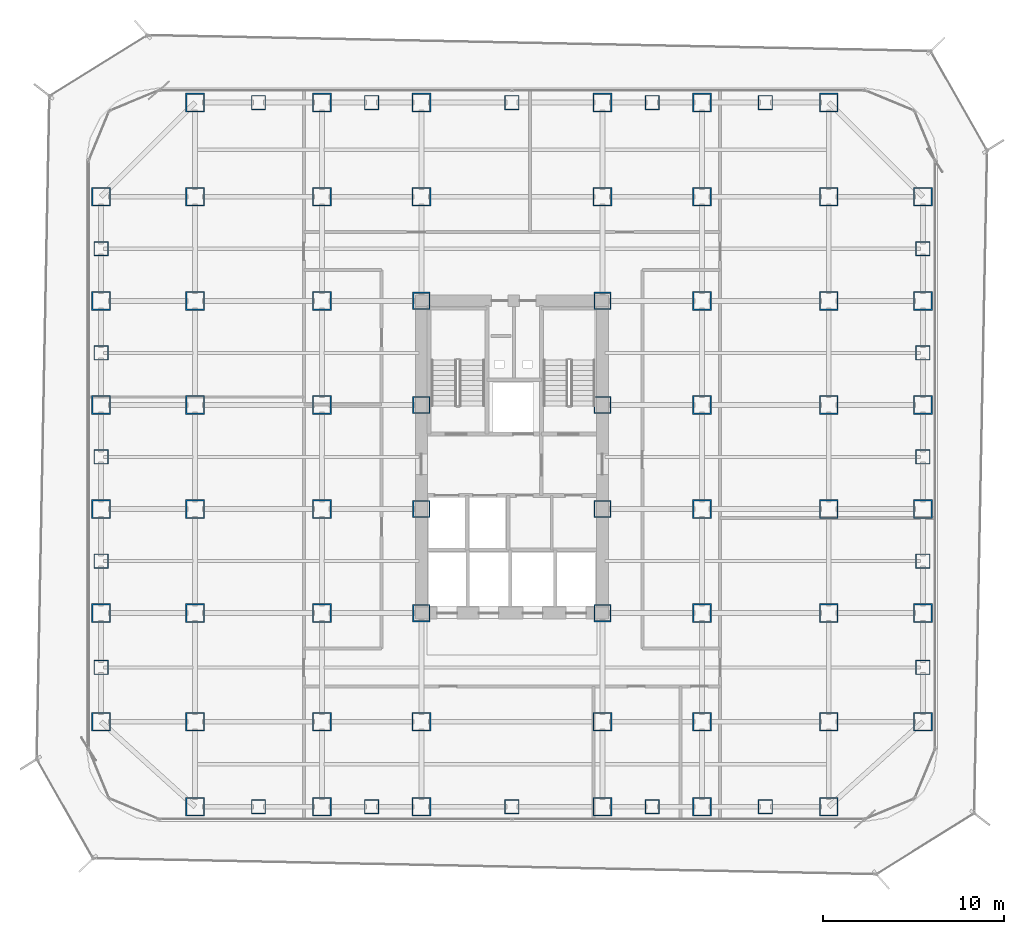
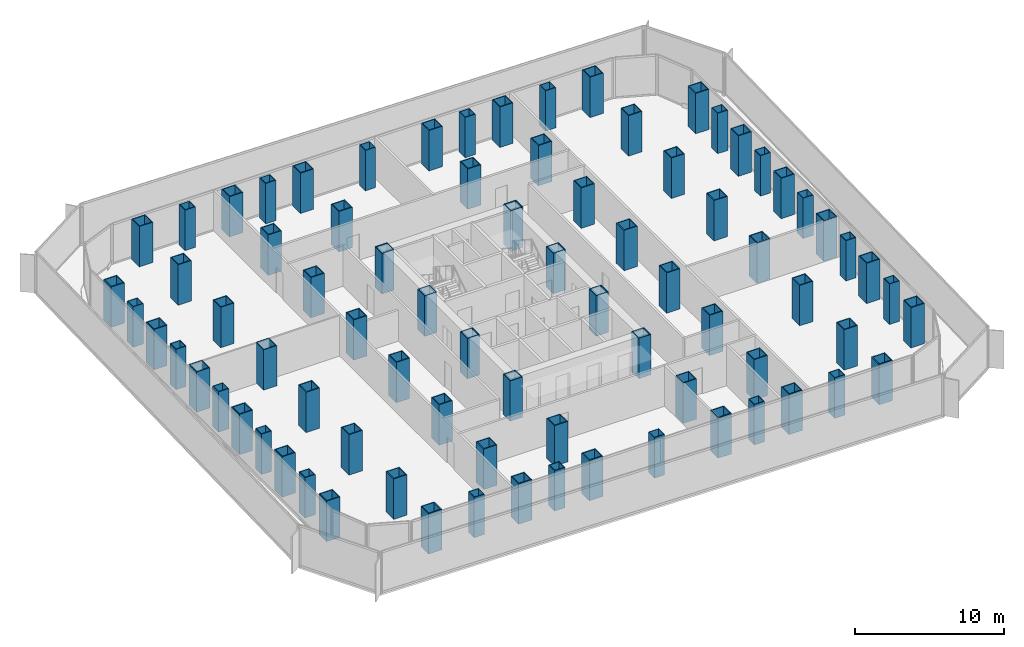
# One storey, part 1 of 21: 80 columns.
"""IFC4 building model written with IfcOpenShell, lengths in metres."""

from ifc_helpers import new_model, si_unit, direction, frame, origin, origin_2d, place, context, subcontext, project, spatial, hollow_rectangle, extrude, source, transform, mapped, material, material_profile, profile_set, type_object, element, save


model = new_model("IFC4")

# Units and contexts
model_context = context("Model", 3, precision=1e-05, world=origin(), true_north=direction((0.0, 1.0)))
body_context = subcontext(model_context, "Body", "Model", "MODEL_VIEW")
ifc_project = project(units=[si_unit("LENGTHUNIT", "METRE"), si_unit("AREAUNIT", "SQUARE_METRE"), si_unit("VOLUMEUNIT", "CUBIC_METRE"), si_unit("PLANEANGLEUNIT", "RADIAN"), si_unit("MASSUNIT", "GRAM", prefix="KILO")], contexts=[model_context])

# Site, building, storey
site_placement = place(None, origin())
site = spatial("IfcSite", under=ifc_project, at=site_placement, CompositionType="ELEMENT")
building_placement = place(site_placement, origin())
building = spatial("IfcBuilding", under=site, at=building_placement, Name="Kolveth Station Tower", CompositionType="ELEMENT")
storey_placement = place(building_placement, frame((0.0, 0.0, 62.10009765625)))
storey = spatial("IfcBuildingStorey", under=building, at=storey_placement, Name="L16", CompositionType="ELEMENT", Elevation=62.10009765625)

# Columns
ifc_material_1 = material(Name="Steel S460", Category="steel")
ifc_material_profile_1 = material_profile(ifc_material_1, hollow_rectangle(XDim=1.0400390625, YDim=1.0400390625, WallThickness=0.06494140625, at=origin_2d()), Name="BOX1040x1040x65")
ifc_profile_set_1 = profile_set([ifc_material_profile_1], Name="Steel S460")
column_type_1 = type_object("IfcColumnType", Name="Col_C2", PredefinedType="COLUMN", material=ifc_profile_set_1)
shared_shape_1 = source(origin(), body_context, "Body", "SweptSolid", [
    extrude(hollow_rectangle(XDim=1.0400390625, YDim=1.0400390625, WallThickness=0.06494140625, at=origin_2d()), origin(), (0.0, 0.0, 1.0), 3.31982421875),
])
for number, where, z_axis, x_axis, name in (
    (1, (6.0, 0.800048828125, 0.0), (0.0, 0.0, 1.0), (1.0, 0.0, 0.0), "L16 Tower Column S-X60"),
    (2, (6.0, 39.699951171875, 0.0), (0.0, 0.0, 1.0), (1.0, 0.0, 0.0), "L16 Tower Column N-X60"),
    (3, (13.0, 0.800048828125, 0.0), (0.0, 0.0, 1.0), (1.0, 0.0, 0.0), "L16 Tower Column S-X130"),
    (4, (13.0, 39.699951171875, 0.0), (0.0, 0.0, 1.0), (1.0, 0.0, 0.0), "L16 Tower Column N-X130"),
    (5, (18.5, 0.800048828125, 0.0), (0.0, 0.0, 1.0), (1.0, 0.0, 0.0), "L16 Tower Column S-X185"),
    (6, (18.5, 39.699951171875, 0.0), (0.0, 0.0, 1.0), (1.0, 0.0, 0.0), "L16 Tower Column N-X185"),
    (7, (28.5, 0.800048828125, 0.0), (0.0, 0.0, 1.0), (1.0, 0.0, 0.0), "L16 Tower Column S-X285"),
    (8, (28.5, 39.699951171875, 0.0), (0.0, 0.0, 1.0), (1.0, 0.0, 0.0), "L16 Tower Column N-X285"),
    (9, (34.0, 0.800048828125, 0.0), (0.0, 0.0, 1.0), (1.0, 0.0, 0.0), "L16 Tower Column S-X340"),
    (10, (34.0, 39.699951171875, 0.0), (0.0, 0.0, 1.0), (1.0, 0.0, 0.0), "L16 Tower Column N-X340"),
    (11, (41.0, 0.800048828125, 0.0), (0.0, 0.0, 1.0), (1.0, 0.0, 0.0), "L16 Tower Column S-X410"),
    (12, (41.0, 39.699951171875, 0.0), (0.0, 0.0, 1.0), (1.0, 0.0, 0.0), "L16 Tower Column N-X410"),
    (13, (0.800048828125, 5.5, 0.0), (0.0, 0.0, 1.0), (1.0, 0.0, 0.0), "L16 Tower Column W-Y55"),
    (14, (46.199951171875, 5.5, 0.0), (0.0, 0.0, 1.0), (1.0, 0.0, 0.0), "L16 Tower Column E-Y55"),
    (15, (0.800048828125, 11.5, 0.0), (0.0, 0.0, 1.0), (1.0, 0.0, 0.0), "L16 Tower Column W-Y115"),
    (16, (46.199951171875, 11.5, 0.0), (0.0, 0.0, 1.0), (1.0, 0.0, 0.0), "L16 Tower Column E-Y115"),
    (17, (0.800048828125, 17.25, 0.0), (0.0, 0.0, 1.0), (1.0, 0.0, 0.0), "L16 Tower Column W-Y172"),
    (18, (46.199951171875, 17.25, 0.0), (0.0, 0.0, 1.0), (1.0, 0.0, 0.0), "L16 Tower Column E-Y172"),
    (19, (0.800048828125, 23.0, 0.0), (0.0, 0.0, 1.0), (1.0, 0.0, 0.0), "L16 Tower Column W-Y230"),
    (20, (46.199951171875, 23.0, 0.0), (0.0, 0.0, 1.0), (1.0, 0.0, 0.0), "L16 Tower Column E-Y230"),
    (21, (0.800048828125, 28.75, 0.0), (0.0, 0.0, 1.0), (1.0, 0.0, 0.0), "L16 Tower Column W-Y287"),
    (22, (46.199951171875, 28.75, 0.0), (0.0, 0.0, 1.0), (1.0, 0.0, 0.0), "L16 Tower Column E-Y287"),
    (23, (0.800048828125, 34.5, 0.0), (0.0, 0.0, 1.0), (1.0, 0.0, 0.0), "L16 Tower Column W-Y345"),
    (24, (46.199951171875, 34.5, 0.0), (0.0, 0.0, 1.0), (1.0, 0.0, 0.0), "L16 Tower Column E-Y345"),
    (25, (6.0, 5.5, 0.0), (0.0, 0.0, 1.0), (1.0, 0.0, 0.0), "L16 Tower Column G-60-55"),
    (26, (6.0, 11.5, 0.0), (0.0, 0.0, 1.0), (1.0, 0.0, 0.0), "L16 Tower Column G-60-115"),
    (27, (6.0, 17.25, 0.0), (0.0, 0.0, 1.0), (1.0, 0.0, 0.0), "L16 Tower Column G-60-172"),
    (28, (6.0, 23.0, 0.0), (0.0, 0.0, 1.0), (1.0, 0.0, 0.0), "L16 Tower Column G-60-230"),
    (29, (6.0, 28.75, 0.0), (0.0, 0.0, 1.0), (1.0, 0.0, 0.0), "L16 Tower Column G-60-287"),
    (30, (6.0, 34.5, 0.0), (0.0, 0.0, 1.0), (1.0, 0.0, 0.0), "L16 Tower Column G-60-345"),
    (31, (13.0, 5.5, 0.0), (0.0, 0.0, 1.0), (1.0, 0.0, 0.0), "L16 Tower Column G-130-55"),
    (32, (13.0, 11.5, 0.0), (0.0, 0.0, 1.0), (1.0, 0.0, 0.0), "L16 Tower Column G-130-115"),
    (33, (13.0, 17.25, 0.0), (0.0, 0.0, 1.0), (1.0, 0.0, 0.0), "L16 Tower Column G-130-172"),
    (34, (13.0, 23.0, 0.0), (0.0, 0.0, 1.0), (1.0, 0.0, 0.0), "L16 Tower Column G-130-230"),
    (35, (13.0, 28.75, 0.0), (0.0, 0.0, 1.0), (1.0, 0.0, 0.0), "L16 Tower Column G-130-287"),
    (36, (13.0, 34.5, 0.0), (0.0, 0.0, 1.0), (1.0, 0.0, 0.0), "L16 Tower Column G-130-345"),
    (37, (18.5, 5.5, 0.0), (0.0, 0.0, 1.0), (1.0, 0.0, 0.0), "L16 Tower Column G-185-55"),
    (38, (18.5, 34.5, 0.0), (0.0, 0.0, 1.0), (1.0, 0.0, 0.0), "L16 Tower Column G-185-345"),
    (39, (28.5, 5.5, 0.0), (0.0, 0.0, 1.0), (1.0, 0.0, 0.0), "L16 Tower Column G-285-55"),
    (40, (28.5, 34.5, 0.0), (0.0, 0.0, 1.0), (1.0, 0.0, 0.0), "L16 Tower Column G-285-345"),
    (41, (34.0, 5.5, 0.0), (0.0, 0.0, 1.0), (1.0, 0.0, 0.0), "L16 Tower Column G-340-55"),
    (42, (34.0, 11.5, 0.0), (0.0, 0.0, 1.0), (1.0, 0.0, 0.0), "L16 Tower Column G-340-115"),
    (43, (34.0, 17.25, 0.0), (0.0, 0.0, 1.0), (1.0, 0.0, 0.0), "L16 Tower Column G-340-172"),
    (44, (34.0, 23.0, 0.0), (0.0, 0.0, 1.0), (1.0, 0.0, 0.0), "L16 Tower Column G-340-230"),
    (45, (34.0, 28.75, 0.0), (0.0, 0.0, 1.0), (1.0, 0.0, 0.0), "L16 Tower Column G-340-287"),
    (46, (34.0, 34.5, 0.0), (0.0, 0.0, 1.0), (1.0, 0.0, 0.0), "L16 Tower Column G-340-345"),
    (47, (41.0, 5.5, 0.0), (0.0, 0.0, 1.0), (1.0, 0.0, 0.0), "L16 Tower Column G-410-55"),
    (48, (41.0, 11.5, 0.0), (0.0, 0.0, 1.0), (1.0, 0.0, 0.0), "L16 Tower Column G-410-115"),
    (49, (41.0, 17.25, 0.0), (0.0, 0.0, 1.0), (1.0, 0.0, 0.0), "L16 Tower Column G-410-172"),
    (50, (41.0, 23.0, 0.0), (0.0, 0.0, 1.0), (1.0, 0.0, 0.0), "L16 Tower Column G-410-230"),
    (51, (41.0, 28.75, 0.0), (0.0, 0.0, 1.0), (1.0, 0.0, 0.0), "L16 Tower Column G-410-287"),
    (52, (41.0, 34.5, 0.0), (0.0, 0.0, 1.0), (1.0, 0.0, 0.0), "L16 Tower Column G-410-345"),
):
    element("IfcColumn", number, at=place(storey_placement, frame(where, z_axis=z_axis, x_axis=x_axis)), inside=storey, type_object=column_type_1, Name=name, PredefinedType="COLUMN", context=body_context, shape_type="MappedRepresentation", body=[
        mapped(shared_shape_1, transform((0.0, 0.0, 0.0), x_axis=(1.0, 0.0, 0.0), y_axis=(0.0, 1.0, 0.0), z_axis=(0.0, 0.0, 1.0), scale=1.0)),
    ])
ifc_material_profile_2 = material_profile(ifc_material_1, hollow_rectangle(XDim=0.9599609375, YDim=0.9599609375, WallThickness=0.06005859375, at=origin_2d()), Name="BOX960x960x60")
ifc_profile_set_2 = profile_set([ifc_material_profile_2], Name="Steel S460")
column_type_2 = type_object("IfcColumnType", Name="Col_C3", PredefinedType="COLUMN", material=ifc_profile_set_2)
shared_shape_2 = source(origin(), body_context, "Body", "SweptSolid", [
    extrude(hollow_rectangle(XDim=0.9599609375, YDim=0.9599609375, WallThickness=0.06005859375, at=origin_2d()), origin(), (0.0, 0.0, 1.0), 3.31982421875),
])
for number, where, z_axis, x_axis, name in (
    (53, (18.5, 11.5, 0.0), (0.0, 0.0, 1.0), (1.0, 0.0, 0.0), "L16 Tower Column G-185-115"),
    (54, (18.5, 17.25, 0.0), (0.0, 0.0, 1.0), (1.0, 0.0, 0.0), "L16 Tower Column G-185-172"),
    (55, (18.5, 23.0, 0.0), (0.0, 0.0, 1.0), (1.0, 0.0, 0.0), "L16 Tower Column G-185-230"),
    (56, (18.5, 28.75, 0.0), (0.0, 0.0, 1.0), (1.0, 0.0, 0.0), "L16 Tower Column G-185-287"),
    (57, (28.5, 11.5, 0.0), (0.0, 0.0, 1.0), (1.0, 0.0, 0.0), "L16 Tower Column G-285-115"),
    (58, (28.5, 17.25, 0.0), (0.0, 0.0, 1.0), (1.0, 0.0, 0.0), "L16 Tower Column G-285-172"),
    (59, (28.5, 23.0, 0.0), (0.0, 0.0, 1.0), (1.0, 0.0, 0.0), "L16 Tower Column G-285-230"),
    (60, (28.5, 28.75, 0.0), (0.0, 0.0, 1.0), (1.0, 0.0, 0.0), "L16 Tower Column G-285-287"),
):
    element("IfcColumn", number, at=place(storey_placement, frame(where, z_axis=z_axis, x_axis=x_axis)), inside=storey, type_object=column_type_2, Name=name, PredefinedType="COLUMN", context=body_context, shape_type="MappedRepresentation", body=[
        mapped(shared_shape_2, transform((0.0, 0.0, 0.0), x_axis=(1.0, 0.0, 0.0), y_axis=(0.0, 1.0, 0.0), z_axis=(0.0, 0.0, 1.0), scale=1.0)),
    ])
ifc_material_2 = material(Name="Steel S355", Category="steel")
ifc_material_profile_3 = material_profile(ifc_material_2, hollow_rectangle(XDim=0.800048828125, YDim=0.800048828125, WallThickness=0.044921875, at=origin_2d()), Name="BOX800x800x45")
ifc_profile_set_3 = profile_set([ifc_material_profile_3], Name="Steel S355")
column_type_3 = type_object("IfcColumnType", Name="Col_C5", PredefinedType="COLUMN", material=ifc_profile_set_3)
shared_shape_3 = source(origin(), body_context, "Body", "SweptSolid", [
    extrude(hollow_rectangle(XDim=0.800048828125, YDim=0.800048828125, WallThickness=0.044921875, at=origin_2d()), origin(), (0.0, 0.0, 1.0), 3.31982421875),
])
for number, where, z_axis, x_axis, name in (
    (61, (9.5, 0.800048828125, 0.0), (0.0, 0.0, 1.0), (1.0, 0.0, 0.0), "L16 Tower Column MS-X95"),
    (62, (9.5, 39.699951171875, 0.0), (0.0, 0.0, 1.0), (1.0, 0.0, 0.0), "L16 Tower Column MN-X95"),
    (63, (15.75, 0.800048828125, 0.0), (0.0, 0.0, 1.0), (1.0, 0.0, 0.0), "L16 Tower Column MS-X157"),
    (64, (15.75, 39.699951171875, 0.0), (0.0, 0.0, 1.0), (1.0, 0.0, 0.0), "L16 Tower Column MN-X157"),
    (65, (23.5, 0.800048828125, 0.0), (0.0, 0.0, 1.0), (1.0, 0.0, 0.0), "L16 Tower Column MS-X235"),
    (66, (23.5, 39.699951171875, 0.0), (0.0, 0.0, 1.0), (1.0, 0.0, 0.0), "L16 Tower Column MN-X235"),
    (67, (31.25, 0.800048828125, 0.0), (0.0, 0.0, 1.0), (1.0, 0.0, 0.0), "L16 Tower Column MS-X312"),
    (68, (31.25, 39.699951171875, 0.0), (0.0, 0.0, 1.0), (1.0, 0.0, 0.0), "L16 Tower Column MN-X312"),
    (69, (37.5, 0.800048828125, 0.0), (0.0, 0.0, 1.0), (1.0, 0.0, 0.0), "L16 Tower Column MS-X375"),
    (70, (37.5, 39.699951171875, 0.0), (0.0, 0.0, 1.0), (1.0, 0.0, 0.0), "L16 Tower Column MN-X375"),
    (71, (0.800048828125, 8.5, 0.0), (0.0, 0.0, 1.0), (1.0, 0.0, 0.0), "L16 Tower Column MW-Y85"),
    (72, (46.199951171875, 8.5, 0.0), (0.0, 0.0, 1.0), (1.0, 0.0, 0.0), "L16 Tower Column ME-Y85"),
    (73, (0.800048828125, 14.375, 0.0), (0.0, 0.0, 1.0), (1.0, 0.0, 0.0), "L16 Tower Column MW-Y143"),
    (74, (46.199951171875, 14.375, 0.0), (0.0, 0.0, 1.0), (1.0, 0.0, 0.0), "L16 Tower Column ME-Y143"),
    (75, (0.800048828125, 20.125, 0.0), (0.0, 0.0, 1.0), (1.0, 0.0, 0.0), "L16 Tower Column MW-Y201"),
    (76, (46.199951171875, 20.125, 0.0), (0.0, 0.0, 1.0), (1.0, 0.0, 0.0), "L16 Tower Column ME-Y201"),
    (77, (0.800048828125, 25.875, 0.0), (0.0, 0.0, 1.0), (1.0, 0.0, 0.0), "L16 Tower Column MW-Y258"),
    (78, (46.199951171875, 25.875, 0.0), (0.0, 0.0, 1.0), (1.0, 0.0, 0.0), "L16 Tower Column ME-Y258"),
    (79, (0.800048828125, 31.625, 0.0), (0.0, 0.0, 1.0), (1.0, 0.0, 0.0), "L16 Tower Column MW-Y316"),
    (80, (46.199951171875, 31.625, 0.0), (0.0, 0.0, 1.0), (1.0, 0.0, 0.0), "L16 Tower Column ME-Y316"),
):
    element("IfcColumn", number, at=place(storey_placement, frame(where, z_axis=z_axis, x_axis=x_axis)), inside=storey, type_object=column_type_3, Name=name, PredefinedType="COLUMN", context=body_context, shape_type="MappedRepresentation", body=[
        mapped(shared_shape_3, transform((0.0, 0.0, 0.0), x_axis=(1.0, 0.0, 0.0), y_axis=(0.0, 1.0, 0.0), z_axis=(0.0, 0.0, 1.0), scale=1.0)),
    ])

save(model, "model.ifc")
